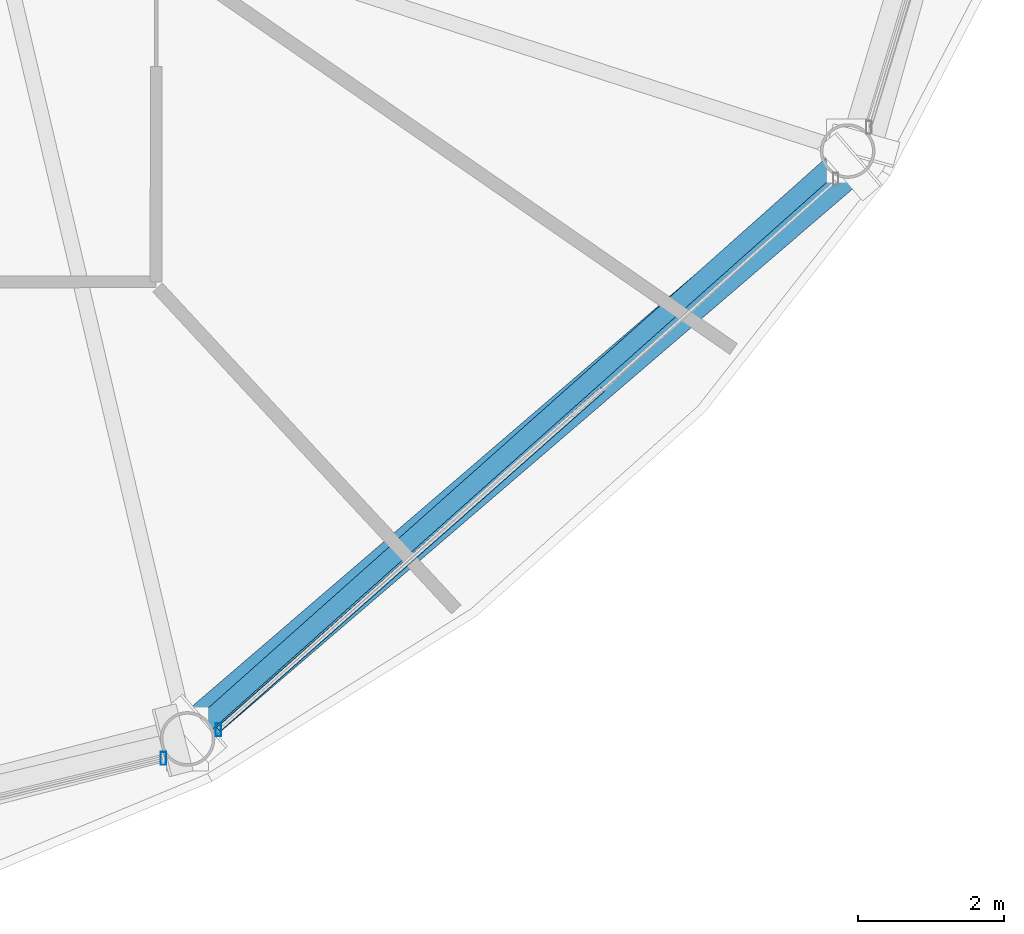
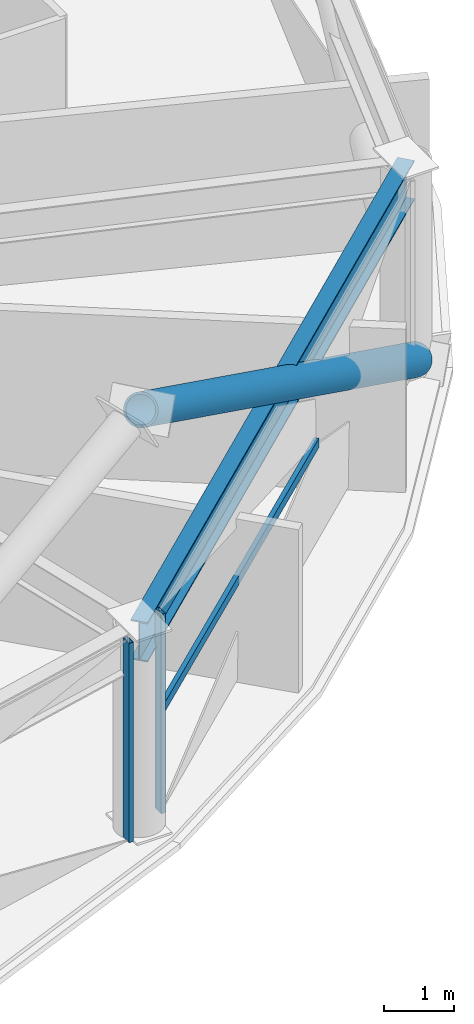
# One storey, part 8 of 29: 4 members, 1 beam, 2 elements without a shape of their own.
"""IFC4 building model written with IfcOpenShell, lengths in metres."""

from ifc_helpers import new_model, si_unit, direction, frame, origin, origin_2d, place, context, subcontext, project, spatial, hollow_rectangle, hollow_circle, i_section, extrude, material, layer, layer_set, material_profile, profile_set, type_object, element, aggregate, save


model = new_model("IFC4")

# Units and contexts
model_context = context("Model", 3, precision=1e-05, world=origin(), true_north=direction((0.0, 1.0)))
body_context = subcontext(model_context, "Body", "Model", "MODEL_VIEW")
ifc_project = project(units=[si_unit("LENGTHUNIT", "METRE"), si_unit("AREAUNIT", "SQUARE_METRE"), si_unit("VOLUMEUNIT", "CUBIC_METRE"), si_unit("PLANEANGLEUNIT", "RADIAN"), si_unit("MASSUNIT", "GRAM", prefix="KILO")], contexts=[model_context])

# Site, building, storey
site_placement = place(None, origin())
site = spatial("IfcSite", under=ifc_project, at=site_placement, CompositionType="ELEMENT")
building_placement = place(site_placement, origin())
building = spatial("IfcBuilding", under=site, at=building_placement, Name="Vantalir Tower", CompositionType="ELEMENT")
storey_placement = place(building_placement, frame((0.0, 0.0, 157.199951171875)))
storey = spatial("IfcBuildingStorey", under=building, at=storey_placement, Name="L39", CompositionType="ELEMENT", Elevation=157.199951171875)

# Beam
ifc_material_1 = material(Name="Steel S460", Category="steel")
ifc_material_profile_1 = material_profile(ifc_material_1, i_section(OverallWidth=0.256103515625, OverallDepth=0.693115234375, WebThickness=0.014404296875, FlangeThickness=0.023681640625, at=origin_2d()), Name="Steel S460")
ifc_profile_set_1 = profile_set([ifc_material_profile_1], Name="Steel S460")
beam_type = type_object("IfcBeamType", Name="BM-RG-686x254", PredefinedType="USERDEFINED", material=ifc_profile_set_1)
beam_placement = place(storey_placement, frame((43.89208984375, 5.887939453125, 3.22412109375), z_axis=(0.746827909531, 0.665017348305, 0.0), x_axis=(-0.665017348305, 0.746827909531, 0.0)))
element("IfcBeam", 1, at=beam_placement, inside=storey, type_object=beam_type, Name="L39 Circumferential Ring Girder 11", ObjectType="GIRDER", PredefinedType="USERDEFINED", context=body_context, shape_type="SweptSolid", body=[
    extrude(i_section(OverallWidth=0.256103515625, OverallDepth=0.693115234375, WebThickness=0.014404296875, FlangeThickness=0.023681640625, at=origin_2d()), origin(), (0.0, 0.0, 1.0), 12.145751953125),
])

# Curtain wall, member
ifc_material_2 = material(Name="Champagne-silver PVDF aluminium and double-silver Low-E glass", Category="aluminium")
ifc_layer = layer(ifc_material_2, 0.199951171875)
ifc_layer_set = layer_set([ifc_layer], Name="Champagne-silver PVDF aluminium and double-silver Low-E glass")
curtain_wall_type = type_object("IfcCurtainWallType", Name="CW-DIAMOND-Z2", PredefinedType="USERDEFINED", material=ifc_layer_set)
curtain_wall_1_placement = place(storey_placement, origin())
curtain_wall_1 = element("IfcCurtainWall", 2, at=curtain_wall_1_placement, inside=storey, type_object=curtain_wall_type, Name="L39 Quilted Pyramid-Diamond Curtain Wall S10", ObjectType="UNITISED CURTAIN WALL", PredefinedType="USERDEFINED")
ifc_material_3 = material(Name="Champagne-silver PVDF aluminium 6063-T6", Category="aluminium")
ifc_material_profile_2 = material_profile(ifc_material_3, hollow_rectangle(XDim=0.074951171875, YDim=0.179931640625, WallThickness=0.00390625, at=origin_2d()), Name="Champagne-silver PVDF aluminium 6063-T6")
ifc_profile_set_2 = profile_set([ifc_material_profile_2], Name="Champagne-silver PVDF aluminium 6063-T6")
member_type_1 = type_object("IfcMemberType", Name="CWM-180x75", PredefinedType="MULLION", material=ifc_profile_set_2)
member_1_placement = place(storey_placement, frame((43.55908203125, 5.62109375, 0.045166015625), z_axis=(0.0, 0.0, 1.0), x_axis=(1.0, 0.0, 0.0)))
member_1 = element("IfcMember", 3, at=member_1_placement, type_object=member_type_1, Name="CW-L39-S10 Mullion 2", PredefinedType="MULLION", context=body_context, shape_type="SweptSolid", body=[
    extrude(hollow_rectangle(XDim=0.074951171875, YDim=0.179931640625, WallThickness=0.00390625, at=origin_2d()), origin(), (0.0, 0.0, 1.0), 3.47998046875),
])
aggregate(curtain_wall_1, [member_1])

# Curtain wall, members
curtain_wall_2_placement = place(storey_placement, origin())
curtain_wall_2 = element("IfcCurtainWall", 4, at=curtain_wall_2_placement, inside=storey, type_object=curtain_wall_type, Name="L39 Quilted Pyramid-Diamond Curtain Wall S11", ObjectType="UNITISED CURTAIN WALL", PredefinedType="USERDEFINED")
member_2_placement = place(storey_placement, frame((44.31494140625, 6.01611328125, 0.045166015625), z_axis=(0.0, 0.0, 1.0), x_axis=(1.0, 0.0, 0.0)))
member_2 = element("IfcMember", 5, at=member_2_placement, type_object=member_type_1, Name="CW-L39-S11 Mullion 1", PredefinedType="MULLION", context=body_context, shape_type="SweptSolid", body=[
    extrude(hollow_rectangle(XDim=0.074951171875, YDim=0.179931640625, WallThickness=0.00390625, at=origin_2d()), origin(), (0.0, 0.0, 1.0), 3.47998046875),
])
ifc_material_profile_3 = material_profile(ifc_material_3, hollow_rectangle(XDim=0.074951171875, YDim=0.159912109375, WallThickness=0.00390625, at=origin_2d()), Name="Champagne-silver PVDF aluminium 6063-T6")
ifc_profile_set_3 = profile_set([ifc_material_profile_3], Name="Champagne-silver PVDF aluminium 6063-T6")
member_type_2 = type_object("IfcMemberType", Name="CWT-160x75", PredefinedType="USERDEFINED", material=ifc_profile_set_3)
member_3_placement = place(storey_placement, frame((44.31494140625, 6.01611328125, 1.78515625), z_axis=(0.748790963028, 0.662806226349, 0.0), x_axis=(-0.662806226349, 0.748790963028, 0.0)))
member_3 = element("IfcMember", 6, at=member_3_placement, type_object=member_type_2, Name="CW-L39-S11 Pyramid Fold Ridge Transom", ObjectType="TRANSOM", PredefinedType="USERDEFINED", context=body_context, shape_type="SweptSolid", body=[
    extrude(hollow_rectangle(XDim=0.074951171875, YDim=0.159912109375, WallThickness=0.00390625, at=origin_2d()), origin(), (0.0, 0.0, 1.0), 7.050048828125),
])
aggregate(curtain_wall_2, [member_2, member_3])

# Member
ifc_material_profile_4 = material_profile(ifc_material_1, hollow_circle(Radius=0.260009765625, WallThickness=0.0380859375, at=origin_2d()), Name="Steel S460")
ifc_profile_set_4 = profile_set([ifc_material_profile_4], Name="Steel S460")
member_type_3 = type_object("IfcMemberType", Name="MEM-DB-520x38", PredefinedType="BRACE", material=ifc_profile_set_4)
member_4_placement = place(storey_placement, frame((52.98291015625, 13.74609375, 0.191162109375), z_axis=(-0.654456459093, -0.561944281263, 0.505870900435), x_axis=(0.651447122521, -0.75869404015, 0.0)))
element("IfcMember", 7, at=member_4_placement, inside=storey, type_object=member_type_3, Name="L39 Perimeter S460 Diagrid Brace R34R", PredefinedType="BRACE", context=body_context, shape_type="SweptSolid", body=[
    extrude(hollow_circle(Radius=0.260009765625, WallThickness=0.0380859375, at=origin_2d()), origin(), (0.0, 0.0, 1.0), 13.71484375),
])

save(model, "model.ifc")
